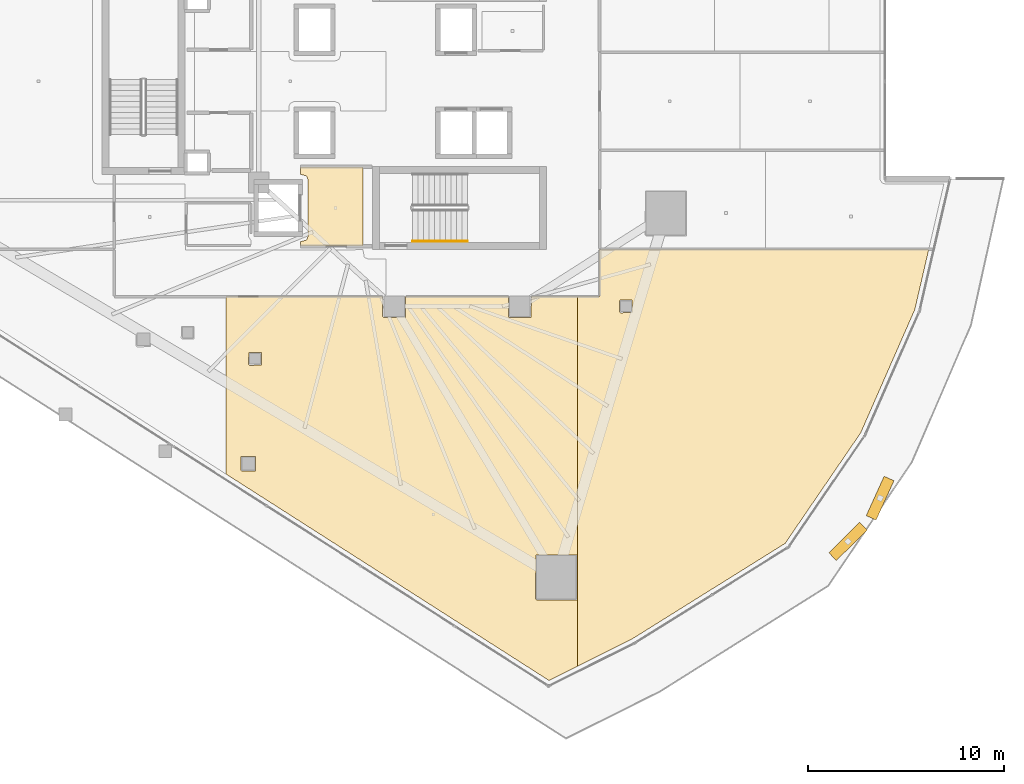
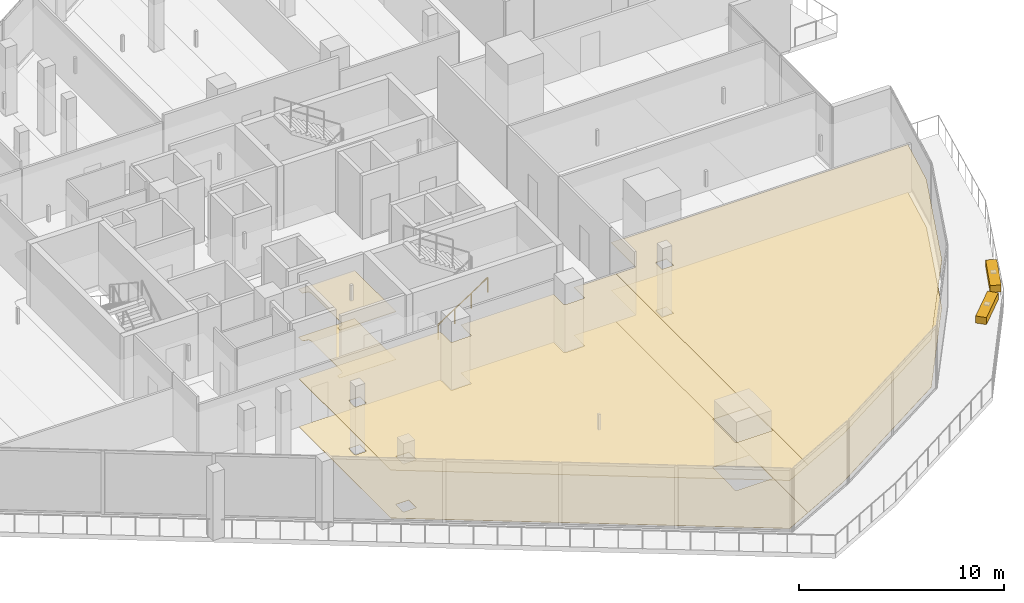
# One storey, part 36 of 42: 6 coverings, 2 shading devices, 1 railing.
"""IFC4 building model written with IfcOpenShell, lengths in metres."""

from ifc_helpers import new_model, si_unit, direction, frame, origin, origin_2d, place, context, subcontext, project, spatial, polyline, rectangle, circle, outline, extrude, material, layer, layer_set, type_object, element, save


model = new_model("IFC4")

# Units and contexts
model_context = context("Model", 3, precision=1e-05, world=origin(), true_north=direction((0.0, 1.0)))
body_context = subcontext(model_context, "Body", "Model", "MODEL_VIEW")
ifc_project = project(units=[si_unit("LENGTHUNIT", "METRE"), si_unit("AREAUNIT", "SQUARE_METRE"), si_unit("VOLUMEUNIT", "CUBIC_METRE"), si_unit("PLANEANGLEUNIT", "RADIAN"), si_unit("MASSUNIT", "GRAM", prefix="KILO")], contexts=[model_context])

# Site, building, storey
site_placement = place(None, origin())
site = spatial("IfcSite", under=ifc_project, at=site_placement, CompositionType="ELEMENT")
building_placement = place(site_placement, origin())
building = spatial("IfcBuilding", under=site, at=building_placement, Name="Qorvath Tower", CompositionType="ELEMENT")
storey_placement = place(building_placement, frame((0.0, 0.0, 121.949951171875)))
storey = spatial("IfcBuildingStorey", under=building, at=storey_placement, Name="L27", CompositionType="ELEMENT", Elevation=121.949951171875)

# Coverings
ifc_material_1 = material(Name="Acoustic mineral fibre ceiling tile", Category="gypsum")
ifc_layer_1 = layer(ifc_material_1, 0.030029296875)
ifc_layer_set_1 = layer_set([ifc_layer_1], Name="COV-CEIL")
covering_type_1 = type_object("IfcCoveringType", Name="COV-CEIL", PredefinedType="CEILING", material=ifc_layer_set_1)
covering_1_placement = place(storey_placement, frame((0.0, 0.0, 2.85009765625)))
element("IfcCovering", 1, at=covering_1_placement, inside=storey, type_object=covering_type_1, Name="L27 Suspended Acoustic Ceiling 002", PredefinedType="CEILING", context=body_context, shape_type="SweptSolid", body=[
    extrude(outline(polyline([(-25.18994140625, -8.39501953125), (-25.18994140625, -4.35498046875), (-28.375, -4.35498046875), (-28.375, -4.739990234375), (-28.063232421875, -4.813232421875), (-27.989990234375, -4.989990234375), (-27.989990234375, -7.909912109375), (-28.063232421875, -8.086669921875), (-28.375, -8.159912109375), (-28.375, -8.39501953125), (-25.18994140625, -8.39501953125)])), origin(), (0.0, 0.0, 1.0), 0.030029296875),
])
covering_2_placement = place(storey_placement, frame((0.0, 0.0, 2.85009765625)))
element("IfcCovering", 2, at=covering_2_placement, inside=storey, type_object=covering_type_1, Name="L27 Suspended Acoustic Ceiling 025", PredefinedType="CEILING", context=body_context, shape_type="SweptSolid", body=[
    extrude(outline(polyline([(-14.27880859375, -29.775390625), (-14.27880859375, -10.962890625), (-16.614990234375, -10.962890625), (-16.632568359375, -12.017333984375), (-17.72509765625, -12.034912109375), (-17.784912109375, -11.97509765625), (-17.784912109375, -10.962890625), (-23.014892578125, -10.962890625), (-23.032470703125, -12.017333984375), (-24.125, -12.034912109375), (-24.18505859375, -11.97509765625), (-24.18505859375, -10.962890625), (-32.165283203125, -10.962890625), (-32.165283203125, -19.98681640625), (-15.721435546875, -30.49658203125), (-14.27880859375, -29.775390625)]), holes=[polyline([(-16.404296875, -26.34619140625), (-16.38671875, -24.103759765625), (-14.3017578125, -24.103759765625), (-14.3017578125, -26.388427734375), (-16.34423828125, -26.406005859375), (-16.404296875, -26.34619140625)]), polyline([(-31.01220703125, -14.3994140625), (-30.99462890625, -13.806884765625), (-30.35986328125, -13.806884765625), (-30.35986328125, -14.441650390625), (-30.9521484375, -14.459228515625), (-31.01220703125, -14.3994140625)]), polyline([(-31.401123046875, -19.785400390625), (-31.383544921875, -19.093017578125), (-30.648681640625, -19.093017578125), (-30.648681640625, -19.827880859375), (-31.341064453125, -19.845458984375), (-31.401123046875, -19.785400390625)])]), origin(), (0.0, 0.0, 1.0), 0.030029296875),
])
covering_3_placement = place(storey_placement, frame((0.0, 0.0, 2.85009765625)))
element("IfcCovering", 3, at=covering_3_placement, inside=storey, type_object=covering_type_1, Name="L27 Suspended Acoustic Ceiling 026", PredefinedType="CEILING", context=body_context, shape_type="SweptSolid", body=[
    extrude(outline(polyline([(-11.463134765625, -28.367431640625), (-3.70166015625, -23.522705078125), (0.1484375, -17.88818359375), (2.901123046875, -11.611572265625), (3.60791015625, -8.554931640625), (-13.136962890625, -8.554931640625), (-13.14208984375, -10.962890625), (-14.27880859375, -10.962890625), (-14.27880859375, -29.775390625), (-11.463134765625, -28.367431640625)]), holes=[polyline([(-12.135009765625, -11.72509765625), (-12.117431640625, -11.132568359375), (-11.482666015625, -11.132568359375), (-11.482666015625, -11.767333984375), (-12.074951171875, -11.784912109375), (-12.135009765625, -11.72509765625)])]), origin(), (0.0, 0.0, 1.0), 0.030029296875),
])
ifc_material_2 = material(Name="Low-VOC modular carpet tile", Category="textile")
ifc_layer_2 = layer(ifc_material_2, 0.014892578125)
ifc_layer_set_2 = layer_set([ifc_layer_2], Name="COV-FLOOR-CPT")
covering_type_2 = type_object("IfcCoveringType", Name="COV-FLOOR-CPT", PredefinedType="FLOORING", material=ifc_layer_set_2)
covering_4_placement = place(storey_placement, origin())
element("IfcCovering", 4, at=covering_4_placement, inside=storey, type_object=covering_type_2, Name="L27 Floor Finish 025", PredefinedType="FLOORING", context=body_context, shape_type="SweptSolid", body=[
    extrude(outline(polyline([(-14.27880859375, -29.775390625), (-14.27880859375, -10.962890625), (-16.614990234375, -10.962890625), (-16.632568359375, -12.017333984375), (-17.72509765625, -12.034912109375), (-17.784912109375, -11.97509765625), (-17.784912109375, -10.962890625), (-23.014892578125, -10.962890625), (-23.032470703125, -12.017333984375), (-24.125, -12.034912109375), (-24.18505859375, -11.97509765625), (-24.18505859375, -10.962890625), (-32.165283203125, -10.962890625), (-32.165283203125, -19.98681640625), (-15.721435546875, -30.49658203125), (-14.27880859375, -29.775390625)]), holes=[polyline([(-16.404296875, -26.34619140625), (-16.38671875, -24.103759765625), (-14.3017578125, -24.103759765625), (-14.3017578125, -26.388427734375), (-16.34423828125, -26.406005859375), (-16.404296875, -26.34619140625)]), polyline([(-31.01220703125, -14.3994140625), (-30.99462890625, -13.806884765625), (-30.35986328125, -13.806884765625), (-30.35986328125, -14.441650390625), (-30.9521484375, -14.459228515625), (-31.01220703125, -14.3994140625)]), polyline([(-31.401123046875, -19.785400390625), (-31.383544921875, -19.093017578125), (-30.648681640625, -19.093017578125), (-30.648681640625, -19.827880859375), (-31.341064453125, -19.845458984375), (-31.401123046875, -19.785400390625)])]), origin(), (0.0, 0.0, 1.0), 0.01513671875),
])
covering_5_placement = place(storey_placement, origin())
element("IfcCovering", 5, at=covering_5_placement, inside=storey, type_object=covering_type_2, Name="L27 Floor Finish 026", PredefinedType="FLOORING", context=body_context, shape_type="SweptSolid", body=[
    extrude(outline(polyline([(-11.463134765625, -28.367431640625), (-3.70166015625, -23.522705078125), (0.1484375, -17.88818359375), (2.901123046875, -11.611572265625), (3.60791015625, -8.554931640625), (-13.136962890625, -8.554931640625), (-13.14208984375, -10.962890625), (-14.27880859375, -10.962890625), (-14.27880859375, -29.775390625), (-11.463134765625, -28.367431640625)]), holes=[polyline([(-12.135009765625, -11.72509765625), (-12.117431640625, -11.132568359375), (-11.482666015625, -11.132568359375), (-11.482666015625, -11.767333984375), (-12.074951171875, -11.784912109375), (-12.135009765625, -11.72509765625)])]), origin(), (0.0, 0.0, 1.0), 0.01513671875),
])
ifc_material_3 = material(Name="Polished epoxy terrazzo flooring", Category="concrete")
ifc_layer_3 = layer(ifc_material_3, 0.02001953125)
ifc_layer_set_3 = layer_set([ifc_layer_3], Name="COV-FLOOR-TRZ")
covering_type_3 = type_object("IfcCoveringType", Name="COV-FLOOR-TRZ", PredefinedType="FLOORING", material=ifc_layer_set_3)
covering_6_placement = place(storey_placement, origin())
element("IfcCovering", 6, at=covering_6_placement, inside=storey, type_object=covering_type_3, Name="L27 Floor Finish 002", PredefinedType="FLOORING", context=body_context, shape_type="SweptSolid", body=[
    extrude(outline(polyline([(-25.18994140625, -8.39501953125), (-25.18994140625, -4.35498046875), (-28.375, -4.35498046875), (-28.375, -4.739990234375), (-28.063232421875, -4.813232421875), (-27.989990234375, -4.989990234375), (-27.989990234375, -7.909912109375), (-28.063232421875, -8.086669921875), (-28.375, -8.159912109375), (-28.375, -8.39501953125), (-25.18994140625, -8.39501953125)])), origin(), (0.0, 0.0, 1.0), 0.01513671875),
])

# Railing
ifc_material_4 = material(Name="Brushed stainless steel AISI 304", Category="steel")
railing_type = type_object("IfcRailingType", Name="RL-STR-HND", PredefinedType="HANDRAIL", material=ifc_material_4)
railing_placement = place(storey_placement, frame((-22.669921875, -8.14990234375, 0.18408203125)))
element("IfcRailing", 7, at=railing_placement, inside=storey, type_object=railing_type, Name="L27 TS2 stair handrail 1", PredefinedType="HANDRAIL", context=body_context, shape_type="SweptSolid", body=[
    extrude(circle(Radius=0.02392578125, at=origin_2d()), frame((0.0, 0.0, 0.8759765625), z_axis=(0.835542071712, 0.0, 0.549426470421), x_axis=(0.0, 1.0, 0.0)), (0.0, 0.0, 1.0), 3.350830078125),
    extrude(circle(Radius=0.02099609375, at=origin_2d()), origin(), (0.0, 0.0, 1.0), 0.851806640625),
    extrude(circle(Radius=0.02099609375, at=origin_2d()), frame((0.933349609375, 0.0, 0.61376953125)), (0.0, 0.0, 1.0), 0.851806640625),
    extrude(circle(Radius=0.02099609375, at=origin_2d()), frame((1.866455078125, 0.0, 1.227294921875)), (0.0, 0.0, 1.0), 0.851806640625),
    extrude(circle(Radius=0.02099609375, at=origin_2d()), frame((2.7998046875, 0.0, 1.841064453125)), (0.0, 0.0, 1.0), 0.851806640625),
])

# Shading devices
ifc_material_5 = material(Name="Anodised bronze-champagne aluminium", Category="aluminium")
shading_device_type = type_object("IfcShadingDeviceType", Name="SD-LOUVRE", PredefinedType="JALOUSIE", material=ifc_material_5)
for number, where, z_axis, x_axis, name in (
    (8, (-0.50244140625, -23.419921875, 3.35009765625), (0.0, 0.0, 1.0), (0.709768709331, 0.704434794183, 0.0), "Sinusoidal Wave Louvre Blade L27-03"),
    (9, (1.13232421875, -21.21923828125, 3.35009765625), (0.0, 0.0, 1.0), (0.413331707281, 0.910580528979, 0.0), "Sinusoidal Wave Louvre Blade L27-04"),
):
    element("IfcShadingDevice", number, at=place(storey_placement, frame(where, z_axis=z_axis, x_axis=x_axis)), inside=storey, type_object=shading_device_type, Name=name, PredefinedType="NOTDEFINED", context=body_context, shape_type="SweptSolid", body=[
        extrude(rectangle(XDim=2.199951171875, YDim=0.550048828125, at=origin_2d()), origin(), (0.0, 0.0, 1.0), 0.419921875),
    ])

save(model, "model.ifc")
